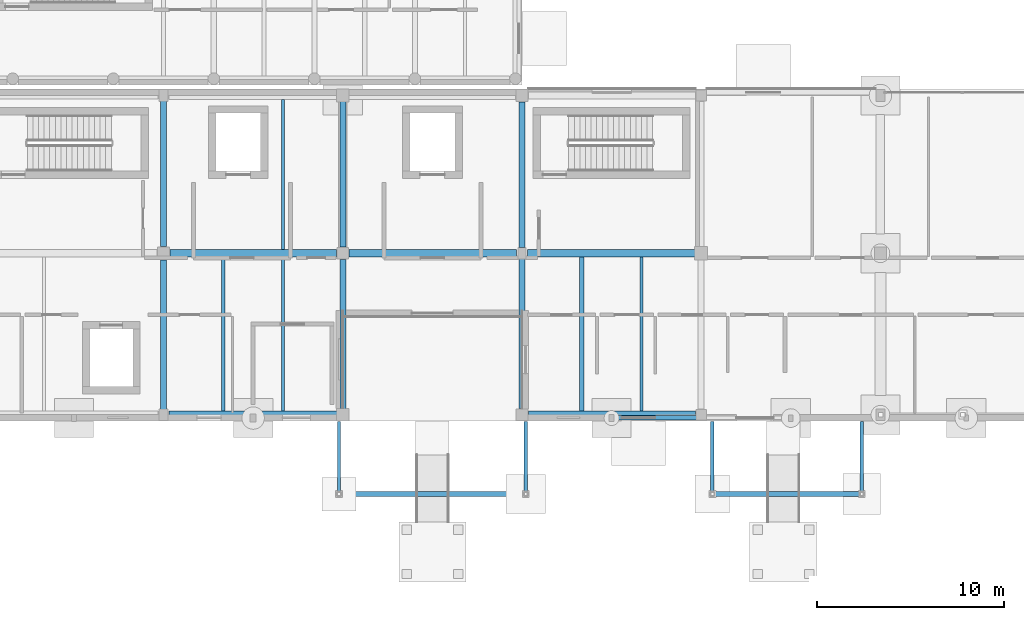
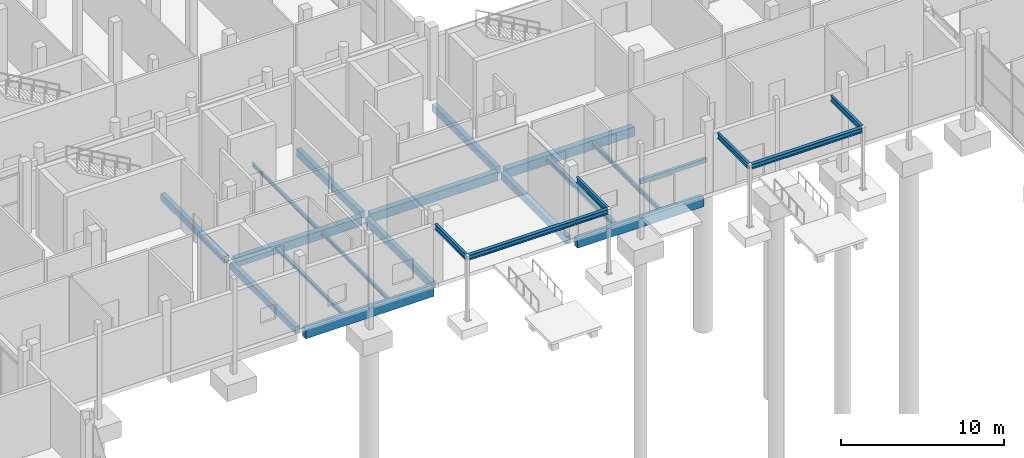
# One storey, part 25 of 88: 23 beams.
"""IFC4 building model written with IfcOpenShell, lengths in metres."""

from ifc_helpers import new_model, si_unit, direction, frame, origin, origin_2d, place, context, subcontext, project, spatial, rectangle, i_section, extrude, material, material_profile, profile_set, type_object, element, save


model = new_model("IFC4")

# Units and contexts
model_context = context("Model", 3, precision=1e-05, world=origin(), true_north=direction((0.0, 1.0)))
body_context = subcontext(model_context, "Body", "Model", "MODEL_VIEW")
ifc_project = project(units=[si_unit("LENGTHUNIT", "METRE"), si_unit("AREAUNIT", "SQUARE_METRE"), si_unit("VOLUMEUNIT", "CUBIC_METRE"), si_unit("PLANEANGLEUNIT", "RADIAN"), si_unit("MASSUNIT", "GRAM", prefix="KILO")], contexts=[model_context])

# Site, building, storey
site_placement = place(None, origin())
site = spatial("IfcSite", under=ifc_project, at=site_placement, CompositionType="ELEMENT")
building_placement = place(site_placement, origin())
building = spatial("IfcBuilding", under=site, at=building_placement, Name="Birchvale Park Specialist Clinic", CompositionType="ELEMENT")
storey_placement = place(building_placement, origin())
storey = spatial("IfcBuildingStorey", under=building, at=storey_placement, Name="L00", CompositionType="ELEMENT", Elevation=0.0)

# Beams
ifc_material_1 = material(Name="Concrete C40/50", Category="concrete")
ifc_material_profile_1 = material_profile(ifc_material_1, rectangle(XDim=0.419921875, YDim=0.719970703125, at=origin_2d()), Name="RCB-420x720")
ifc_profile_set_1 = profile_set([ifc_material_profile_1], Name="Concrete C40/50")
beam_type_1 = type_object("IfcBeamType", Name="BM-EXT-BG3", PredefinedType="BEAM", material=ifc_profile_set_1)
beam_1_placement = place(storey_placement, frame((71.2900390625, 17.14990234375, -0.639892578125), z_axis=(1.0, 0.0, 0.0), x_axis=(0.0, 1.0, 0.0)))
element("IfcBeam", 1, at=beam_1_placement, inside=storey, type_object=beam_type_1, Name="V4 L00 X girder 2", PredefinedType="BEAM", context=body_context, shape_type="SweptSolid", body=[
    extrude(rectangle(XDim=0.419921875, YDim=0.719970703125, at=origin_2d()), origin(), (0.0, 0.0, 1.0), 9.074951171875),
])
ifc_material_profile_2 = material_profile(ifc_material_1, rectangle(XDim=0.39990234375, YDim=0.68994140625, at=origin_2d()), Name="RCB-400x690")
ifc_profile_set_2 = profile_set([ifc_material_profile_2], Name="Concrete C40/50")
beam_type_2 = type_object("IfcBeamType", Name="BM-EXT-BG4", PredefinedType="BEAM", material=ifc_profile_set_2)
beam_2_placement = place(storey_placement, frame((90.5400390625, 17.14990234375, -0.625), z_axis=(1.0, 0.0, 0.0), x_axis=(0.0, 1.0, 0.0)))
element("IfcBeam", 2, at=beam_2_placement, inside=storey, type_object=beam_type_2, Name="V4 L00 X girder 3", PredefinedType="BEAM", context=body_context, shape_type="SweptSolid", body=[
    extrude(rectangle(XDim=0.39990234375, YDim=0.68994140625, at=origin_2d()), origin(), (0.0, 0.0, 1.0), 8.945068359375),
])
ifc_material_profile_3 = material_profile(ifc_material_1, rectangle(XDim=0.320068359375, YDim=0.5400390625, at=origin_2d()), Name="RCB-320x540")
ifc_profile_set_3 = profile_set([ifc_material_profile_3], Name="Concrete C40/50")
beam_type_3 = type_object("IfcBeamType", Name="BM-EXT-BG7", PredefinedType="BEAM", material=ifc_profile_set_3)
beam_3_placement = place(storey_placement, frame((80.60009765625, 17.465087890625, -0.550048828125), z_axis=(0.0, 1.0, 0.0), x_axis=(-1.0, 0.0, 0.0)))
element("IfcBeam", 3, at=beam_3_placement, inside=storey, type_object=beam_type_3, Name="V4 L00 Y girder 16", PredefinedType="BEAM", context=body_context, shape_type="SweptSolid", body=[
    extrude(rectangle(XDim=0.320068359375, YDim=0.5400390625, at=origin_2d()), origin(), (0.0, 0.0, 1.0), 8.010009765625),
])
beam_4_placement = place(storey_placement, frame((80.60009765625, 26.125, -0.550048828125), z_axis=(0.0, 1.0, 0.0), x_axis=(-1.0, 0.0, 0.0)))
element("IfcBeam", 4, at=beam_4_placement, inside=storey, type_object=beam_type_3, Name="V4 L00 Y girder 17", PredefinedType="BEAM", context=body_context, shape_type="SweptSolid", body=[
    extrude(rectangle(XDim=0.320068359375, YDim=0.5400390625, at=origin_2d()), origin(), (0.0, 0.0, 1.0), 7.81005859375),
])
beam_5_placement = place(storey_placement, frame((90.199951171875, 17.489990234375, -0.550048828125), z_axis=(0.0, 1.0, 0.0), x_axis=(-1.0, 0.0, 0.0)))
element("IfcBeam", 5, at=beam_5_placement, inside=storey, type_object=beam_type_3, Name="V4 L00 Y girder 18", PredefinedType="BEAM", context=body_context, shape_type="SweptSolid", body=[
    extrude(rectangle(XDim=0.320068359375, YDim=0.5400390625, at=origin_2d()), origin(), (0.0, 0.0, 1.0), 8.010009765625),
])
beam_6_placement = place(storey_placement, frame((90.199951171875, 26.10009765625, -0.550048828125), z_axis=(0.0, 1.0, 0.0), x_axis=(-1.0, 0.0, 0.0)))
element("IfcBeam", 6, at=beam_6_placement, inside=storey, type_object=beam_type_3, Name="V4 L00 Y girder 19", PredefinedType="BEAM", context=body_context, shape_type="SweptSolid", body=[
    extrude(rectangle(XDim=0.320068359375, YDim=0.5400390625, at=origin_2d()), origin(), (0.0, 0.0, 1.0), 7.809814453125),
])
ifc_material_profile_4 = material_profile(ifc_material_1, rectangle(XDim=0.419921875, YDim=0.679931640625, at=origin_2d()), Name="RCB-420x680")
ifc_profile_set_4 = profile_set([ifc_material_profile_4], Name="Concrete C40/50")
beam_type_4 = type_object("IfcBeamType", Name="BM-INT-BG3", PredefinedType="BEAM", material=ifc_profile_set_4)
beam_7_placement = place(storey_placement, frame((90.5, 25.800048828125, -0.6201171875), z_axis=(1.0, 0.0, 0.0), x_axis=(0.0, 1.0, 0.0)))
element("IfcBeam", 7, at=beam_7_placement, inside=storey, type_object=beam_type_4, Name="V4 L00 X girder 7", PredefinedType="BEAM", context=body_context, shape_type="SweptSolid", body=[
    extrude(rectangle(XDim=0.419921875, YDim=0.679931640625, at=origin_2d()), origin(), (0.0, 0.0, 1.0), 9.074951171875),
])
ifc_material_profile_5 = material_profile(ifc_material_1, rectangle(XDim=0.39990234375, YDim=0.64990234375, at=origin_2d()), Name="RCB-400x650")
ifc_profile_set_5 = profile_set([ifc_material_profile_5], Name="Concrete C40/50")
beam_type_5 = type_object("IfcBeamType", Name="BM-INT-BG4", PredefinedType="BEAM", material=ifc_profile_set_5)
beam_8_placement = place(storey_placement, frame((71.35009765625, 25.800048828125, -0.60498046875), z_axis=(1.0, 0.0, 0.0), x_axis=(0.0, 1.0, 0.0)))
element("IfcBeam", 8, at=beam_8_placement, inside=storey, type_object=beam_type_5, Name="V4 L00 X girder 5", PredefinedType="BEAM", context=body_context, shape_type="SweptSolid", body=[
    extrude(rectangle(XDim=0.39990234375, YDim=0.64990234375, at=origin_2d()), origin(), (0.0, 0.0, 1.0), 8.9248046875),
])
beam_9_placement = place(storey_placement, frame((80.925048828125, 25.800048828125, -0.60498046875), z_axis=(1.0, 0.0, 0.0), x_axis=(0.0, 1.0, 0.0)))
element("IfcBeam", 9, at=beam_9_placement, inside=storey, type_object=beam_type_5, Name="V4 L00 X girder 6", PredefinedType="BEAM", context=body_context, shape_type="SweptSolid", body=[
    extrude(rectangle(XDim=0.39990234375, YDim=0.64990234375, at=origin_2d()), origin(), (0.0, 0.0, 1.0), 8.974853515625),
])
ifc_material_profile_6 = material_profile(ifc_material_1, rectangle(XDim=0.320068359375, YDim=0.5, at=origin_2d()), Name="RCB-320x500")
ifc_profile_set_6 = profile_set([ifc_material_profile_6], Name="Concrete C40/50")
beam_type_6 = type_object("IfcBeamType", Name="BM-INT-BG7", PredefinedType="BEAM", material=ifc_profile_set_6)
beam_10_placement = place(storey_placement, frame((71.0, 17.43994140625, -0.530029296875), z_axis=(0.0, 1.0, 0.0), x_axis=(-1.0, 0.0, 0.0)))
element("IfcBeam", 10, at=beam_10_placement, inside=storey, type_object=beam_type_6, Name="V4 L00 Y girder 14", PredefinedType="BEAM", context=body_context, shape_type="SweptSolid", body=[
    extrude(rectangle(XDim=0.320068359375, YDim=0.5, at=origin_2d()), origin(), (0.0, 0.0, 1.0), 8.010009765625),
])
beam_11_placement = place(storey_placement, frame((71.0, 26.14990234375, -0.530029296875), z_axis=(0.0, 1.0, 0.0), x_axis=(-1.0, 0.0, 0.0)))
element("IfcBeam", 11, at=beam_11_placement, inside=storey, type_object=beam_type_6, Name="V4 L00 Y girder 15", PredefinedType="BEAM", context=body_context, shape_type="SweptSolid", body=[
    extrude(rectangle(XDim=0.320068359375, YDim=0.5, at=origin_2d()), origin(), (0.0, 0.0, 1.0), 7.81005859375),
])
ifc_material_profile_7 = material_profile(ifc_material_1, rectangle(XDim=0.219970703125, YDim=0.300048828125, at=origin_2d()), Name="LNT-220x300")
ifc_profile_set_7 = profile_set([ifc_material_profile_7], Name="Concrete C40/50")
beam_type_7 = type_object("IfcBeamType", Name="LNT-EXT-LN2", PredefinedType="LINTEL", material=ifc_profile_set_7)
beam_12_placement = place(storey_placement, frame((94.955078125, 16.989990234375, 2.469970703125), z_axis=(1.0, 0.0, 0.0), x_axis=(0.0, 1.0, 0.0)))
element("IfcBeam", 12, at=beam_12_placement, inside=storey, type_object=beam_type_7, Name="V4 L00 exit opening lintel 16", PredefinedType="LINTEL", context=body_context, shape_type="SweptSolid", body=[
    extrude(rectangle(XDim=0.219970703125, YDim=0.300048828125, at=origin_2d()), origin(), (0.0, 0.0, 1.0), 4.739990234375),
])
ifc_material_2 = material(Name="Steel ASTM A992 Grade 50", Category="steel")
ifc_material_profile_8 = material_profile(ifc_material_2, i_section(OverallWidth=0.178955078125, OverallDepth=0.409912109375, WebThickness=0.0087890625, FlangeThickness=0.014404296875, at=origin_2d()), Name="W16X45")
ifc_profile_set_8 = profile_set([ifc_material_profile_8], Name="Steel ASTM A992 Grade 50")
beam_type_8 = type_object("IfcBeamType", Name="STL-EXT-SB5", PredefinedType="BEAM", material=ifc_profile_set_8)
for number, where, z_axis, x_axis, name in (
    (13, (80.39990234375, 13.0, 4.344970703125), (0.0, 1.0, 0.0), (-1.0, 0.0, 0.0), "L00 canopy tie beam 1.1"),
    (14, (90.39990234375, 13.0, 4.344970703125), (0.0, 1.0, 0.0), (-1.0, 0.0, 0.0), "L00 canopy tie beam 1.2"),
    (15, (100.39990234375, 13.0, 4.14501953125), (0.0, 1.0, 0.0), (-1.0, 0.0, 0.0), "L00 canopy tie beam 3.1"),
    (16, (108.39990234375, 13.0, 4.14501953125), (0.0, 1.0, 0.0), (-1.0, 0.0, 0.0), "L00 canopy tie beam 3.2"),
):
    element("IfcBeam", number, at=place(storey_placement, frame(where, z_axis=z_axis, x_axis=x_axis)), inside=storey, type_object=beam_type_8, Name=name, PredefinedType="BEAM", context=body_context, shape_type="SweptSolid", body=[
        extrude(i_section(OverallWidth=0.178955078125, OverallDepth=0.409912109375, WebThickness=0.0087890625, FlangeThickness=0.014404296875, at=origin_2d()), origin(), (0.0, 0.0, 1.0), 3.780029296875),
    ])
ifc_material_profile_9 = material_profile(ifc_material_2, i_section(OverallWidth=0.25390625, OverallDepth=0.35595703125, WebThickness=0.010498046875, FlangeThickness=0.018310546875, at=origin_2d()), Name="W14X68")
ifc_profile_set_9 = profile_set([ifc_material_profile_9], Name="Steel ASTM A992 Grade 50")
beam_type_9 = type_object("IfcBeamType", Name="STL-EXT-SB6", PredefinedType="BEAM", material=ifc_profile_set_9)
beam_13_placement = place(storey_placement, frame((80.5, 12.89990234375, 4.3720703125), z_axis=(1.0, 0.0, 0.0), x_axis=(0.0, 1.0, 0.0)))
element("IfcBeam", 17, at=beam_13_placement, inside=storey, type_object=beam_type_9, Name="L00 canopy front beam 1", PredefinedType="BEAM", context=body_context, shape_type="SweptSolid", body=[
    extrude(i_section(OverallWidth=0.25390625, OverallDepth=0.35595703125, WebThickness=0.010498046875, FlangeThickness=0.018310546875, at=origin_2d()), origin(), (0.0, 0.0, 1.0), 9.800048828125),
])
beam_14_placement = place(storey_placement, frame((100.5, 12.89990234375, 4.172119140625), z_axis=(1.0, 0.0, 0.0), x_axis=(0.0, 1.0, 0.0)))
element("IfcBeam", 18, at=beam_14_placement, inside=storey, type_object=beam_type_9, Name="L00 canopy front beam 3", PredefinedType="BEAM", context=body_context, shape_type="SweptSolid", body=[
    extrude(i_section(OverallWidth=0.25390625, OverallDepth=0.35595703125, WebThickness=0.010498046875, FlangeThickness=0.018310546875, at=origin_2d()), origin(), (0.0, 0.0, 1.0), 7.800048828125),
])
ifc_material_profile_10 = material_profile(ifc_material_2, i_section(OverallWidth=0.25390625, OverallDepth=0.305908203125, WebThickness=0.0087890625, FlangeThickness=0.0146484375, at=origin_2d()), Name="W12X53")
ifc_profile_set_10 = profile_set([ifc_material_profile_10], Name="Steel ASTM A992 Grade 50")
beam_type_10 = type_object("IfcBeamType", Name="STL-INT-SJ2", PredefinedType="JOIST", material=ifc_profile_set_10)
beam_15_placement = place(storey_placement, frame((93.39990234375, 17.35009765625, -0.43310546875), z_axis=(0.0, 1.0, 0.0), x_axis=(-1.0, 0.0, 0.0)))
element("IfcBeam", 19, at=beam_15_placement, inside=storey, type_object=beam_type_10, Name="V4 L00 secondary floor joist 5", PredefinedType="JOIST", context=body_context, shape_type="SweptSolid", body=[
    extrude(i_section(OverallWidth=0.25390625, OverallDepth=0.305908203125, WebThickness=0.0087890625, FlangeThickness=0.0146484375, at=origin_2d()), origin(), (0.0, 0.0, 1.0), 8.239990234375),
])
ifc_material_profile_11 = material_profile(ifc_material_2, i_section(OverallWidth=0.1669921875, OverallDepth=0.31689453125, WebThickness=0.007568359375, FlangeThickness=0.01318359375, at=origin_2d()), Name="W12X35")
ifc_profile_set_11 = profile_set([ifc_material_profile_11], Name="Steel ASTM A992 Grade 50")
beam_type_11 = type_object("IfcBeamType", Name="STL-INT-SJ3", PredefinedType="JOIST", material=ifc_profile_set_11)
beam_16_placement = place(storey_placement, frame((96.60009765625, 17.35009765625, -0.4384765625), z_axis=(0.0, 1.0, 0.0), x_axis=(-1.0, 0.0, 0.0)))
element("IfcBeam", 20, at=beam_16_placement, inside=storey, type_object=beam_type_11, Name="V4 L00 secondary floor joist 6", PredefinedType="JOIST", context=body_context, shape_type="SweptSolid", body=[
    extrude(i_section(OverallWidth=0.1669921875, OverallDepth=0.31689453125, WebThickness=0.007568359375, FlangeThickness=0.01318359375, at=origin_2d()), origin(), (0.0, 0.0, 1.0), 8.239990234375),
])
ifc_material_profile_12 = material_profile(ifc_material_2, i_section(OverallWidth=0.202880859375, OverallDepth=0.251953125, WebThickness=0.008056640625, FlangeThickness=0.013427734375, at=origin_2d()), Name="W10X39")
ifc_profile_set_12 = profile_set([ifc_material_profile_12], Name="Steel ASTM A992 Grade 50")
beam_type_12 = type_object("IfcBeamType", Name="STL-INT-SJ4", PredefinedType="JOIST", material=ifc_profile_set_12)
beam_17_placement = place(storey_placement, frame((74.199951171875, 17.360107421875, -0.406005859375), z_axis=(0.0, 1.0, 0.0), x_axis=(-1.0, 0.0, 0.0)))
element("IfcBeam", 21, at=beam_17_placement, inside=storey, type_object=beam_type_12, Name="V4 L00 secondary floor joist 2", PredefinedType="JOIST", context=body_context, shape_type="SweptSolid", body=[
    extrude(i_section(OverallWidth=0.202880859375, OverallDepth=0.251953125, WebThickness=0.008056640625, FlangeThickness=0.013427734375, at=origin_2d()), origin(), (0.0, 0.0, 1.0), 8.239990234375),
])
ifc_material_profile_13 = material_profile(ifc_material_2, i_section(OverallWidth=0.14697265625, OverallDepth=0.261962890625, WebThickness=0.006591796875, FlangeThickness=0.01123046875, at=origin_2d()), Name="W10X26")
ifc_profile_set_13 = profile_set([ifc_material_profile_13], Name="Steel ASTM A992 Grade 50")
beam_type_13 = type_object("IfcBeamType", Name="STL-INT-SJ5", PredefinedType="JOIST", material=ifc_profile_set_13)
beam_18_placement = place(storey_placement, frame((77.39990234375, 17.360107421875, -0.410888671875), z_axis=(0.0, 1.0, 0.0), x_axis=(-1.0, 0.0, 0.0)))
element("IfcBeam", 22, at=beam_18_placement, inside=storey, type_object=beam_type_13, Name="V4 L00 secondary floor joist 3", PredefinedType="JOIST", context=body_context, shape_type="SweptSolid", body=[
    extrude(i_section(OverallWidth=0.14697265625, OverallDepth=0.261962890625, WebThickness=0.006591796875, FlangeThickness=0.01123046875, at=origin_2d()), origin(), (0.0, 0.0, 1.0), 8.239990234375),
])
beam_19_placement = place(storey_placement, frame((77.39990234375, 26.0, -0.410888671875), z_axis=(0.0, 1.0, 0.0), x_axis=(-1.0, 0.0, 0.0)))
element("IfcBeam", 23, at=beam_19_placement, inside=storey, type_object=beam_type_13, Name="V4 L00 secondary floor joist 4", PredefinedType="JOIST", context=body_context, shape_type="SweptSolid", body=[
    extrude(i_section(OverallWidth=0.14697265625, OverallDepth=0.261962890625, WebThickness=0.006591796875, FlangeThickness=0.01123046875, at=origin_2d()), origin(), (0.0, 0.0, 1.0), 8.0400390625),
])

save(model, "model.ifc")
